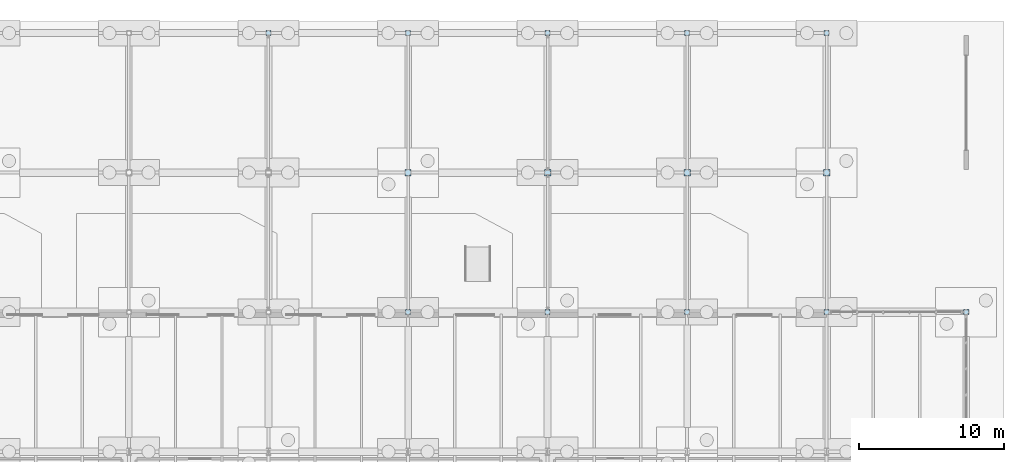
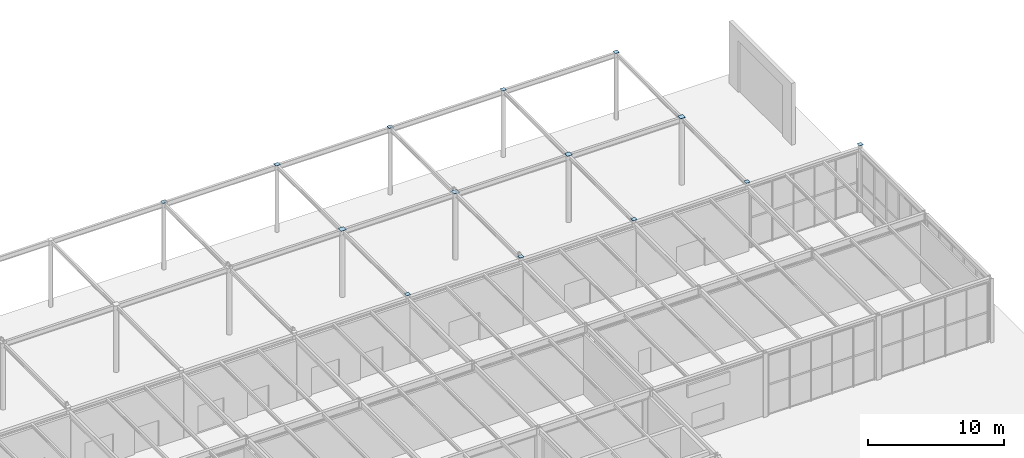
# One storey, part 115 of 142: 14 plates.
"""IFC4 building model written with IfcOpenShell, lengths in metres."""

import ifcopenshell
import ifcopenshell.guid

model = None  # the IFC model being written
_history = None  # IfcOwnerHistory: only IFC2X3 demands one
_inside = {}  # id of a spatial element -> (the spatial element, [elements in it])
_under = {}  # id of a project, library or spatial element -> (it, [spatial elements below it])
_declared = {}  # id of a project -> (the project, [libraries it declares])
_typed = {}  # id of a type object -> (the type object, [elements of that type])
_made_of = {}  # id of a material, layer set ... -> (it, [elements and type objects made of it])


def new_model(schema):
    """Start an empty IFC model of exactly this schema.

    Asked for "IFC4X3", IfcOpenShell would pick the latest addendum, in which some entities
    have other attributes; the version numbers below select the first issue.
    IFC2X3 requires an IfcOwnerHistory on every rooted entity: one is made here for all.
    """
    global model, _history
    if schema == "IFC4X3":
        model = ifcopenshell.file(schema_version=(4, 3, 0, 0))
    else:
        model = ifcopenshell.file(schema=schema)
    _inside.clear()
    _under.clear()
    _declared.clear()
    _typed.clear()
    _made_of.clear()
    _history = None
    if model.schema == "IFC2X3":
        org = make("IfcOrganization", Name="unknown")
        user = make(
            "IfcPersonAndOrganization",
            ThePerson=make("IfcPerson", FamilyName="unknown"),
            TheOrganization=org,
        )
        app = make(
            "IfcApplication",
            ApplicationDeveloper=org,
            Version="unknown",
            ApplicationFullName="unknown",
            ApplicationIdentifier="unknown",
        )
        _history = make(
            "IfcOwnerHistory",
            OwningUser=user,
            OwningApplication=app,
            ChangeAction="ADDED",
            CreationDate=0,
        )
    return model


def make(cls, **values):
    """One entity of the class cls with the attributes given. An attribute that is None is left unset."""
    return model.create_entity(
        cls, **{name: value for name, value in values.items() if value is not None}
    )


def rooted(cls, **values):
    """An entity with a GlobalId (a new one), such as an element, a storey or a relation."""
    return make(cls, GlobalId=ifcopenshell.guid.new(), OwnerHistory=_history, **values)


def si_unit(unit_type, name, prefix=None):
    """IfcSIUnit, for example si_unit("LENGTHUNIT", "METRE", prefix="MILLI")."""
    return make("IfcSIUnit", UnitType=unit_type, Prefix=prefix, Name=name)


def assignment(units):
    """IfcUnitAssignment: the units of a project."""
    return None if units is None else make("IfcUnitAssignment", Units=units)


def point(xyz):
    """IfcCartesianPoint."""
    return None if xyz is None else make("IfcCartesianPoint", Coordinates=xyz)


def direction(xyz):
    """IfcDirection."""
    return None if xyz is None else make("IfcDirection", DirectionRatios=xyz)


def frame(location, z_axis=None, x_axis=None):
    """IfcAxis2Placement3D, a coordinate frame: its origin and axes. An axis left out is left unset."""
    return make(
        "IfcAxis2Placement3D",
        Location=point(location),
        Axis=direction(z_axis),
        RefDirection=direction(x_axis),
    )


def frame_2d(location, x_axis=None):
    """IfcAxis2Placement2D, a coordinate frame in the plane: its origin and x axis."""
    return make(
        "IfcAxis2Placement2D", Location=point(location), RefDirection=direction(x_axis)
    )


def origin():
    """The frame at (0, 0, 0) with its axes left unset."""
    return frame((0.0, 0.0, 0.0))


def origin_2d():
    """The frame at (0, 0) in the plane with its x axis left unset."""
    return frame_2d((0.0, 0.0))


def place(relative_to, where):
    """IfcLocalPlacement: puts the frame where relative to a parent placement (None: the world)."""
    return make(
        "IfcLocalPlacement", PlacementRelTo=relative_to, RelativePlacement=where
    )


def context(
    kind, dimensions, precision=None, world=None, true_north=None, identifier=None
):
    """IfcGeometricRepresentationContext, for example the 3D "Model" context."""
    return make(
        "IfcGeometricRepresentationContext",
        ContextIdentifier=identifier,
        ContextType=kind,
        CoordinateSpaceDimension=dimensions,
        Precision=precision,
        WorldCoordinateSystem=world,
        TrueNorth=true_north,
    )


def subcontext(parent, identifier, kind, view, scale=None):
    """IfcGeometricRepresentationSubContext, for example "Body" below "Model"."""
    return make(
        "IfcGeometricRepresentationSubContext",
        ContextIdentifier=identifier,
        ContextType=kind,
        ParentContext=parent,
        TargetScale=scale,
        TargetView=view,
    )


def project(units=None, contexts=None):
    """IfcProject with its units and contexts."""
    return rooted(
        "IfcProject",
        Name="project",
        RepresentationContexts=contexts,
        UnitsInContext=assignment(units),
    )


def spatial(cls, under=None, at=None, **own):
    """A site, building, storey or space (cls), placed at a placement, below another one or the project."""
    s = rooted(cls, ObjectPlacement=at, **own)
    if under is not None:
        _under.setdefault(under.id(), (under, []))[1].append(s)
    return s


def profile(cls, at=None, kind="AREA", **sizes):
    """A parametric profile (cls). Its sizes go by their IFC names, for example OverallWidth=200.0."""
    return make(cls, ProfileType=kind, Position=at, **sizes)


def rectangle(**sizes):
    """IfcRectangleProfileDef."""
    return profile("IfcRectangleProfileDef", **sizes)


def extrude(swept, where, along, depth):
    """IfcExtrudedAreaSolid: the profile swept, set in the frame where, extruded along a direction by depth."""
    return make(
        "IfcExtrudedAreaSolid",
        SweptArea=swept,
        Position=where,
        ExtrudedDirection=direction(along),
        Depth=depth,
    )


def shape(context_of_items, identifier, shape_type, items):
    """IfcShapeRepresentation: the items that make up one representation, for example the "Body"."""
    return make(
        "IfcShapeRepresentation",
        ContextOfItems=context_of_items,
        RepresentationIdentifier=identifier,
        RepresentationType=shape_type,
        Items=items,
    )


def material(Name=None, Category=None):
    """IfcMaterial."""
    return make("IfcMaterial", Name=Name, Category=Category)


def layer(
    of_material, thickness, ventilated=None, Name=None, Category=None, Priority=None
):
    """IfcMaterialLayer: one layer of a wall or slab, of a material (None: an air gap)."""
    return make(
        "IfcMaterialLayer",
        Material=of_material,
        LayerThickness=thickness,
        IsVentilated=ventilated,
        Name=Name,
        Category=Category,
        Priority=Priority,
    )


def layer_set(layers, Name=None):
    """IfcMaterialLayerSet."""
    return make("IfcMaterialLayerSet", MaterialLayers=layers, LayerSetName=Name)


def made_of(thing, what):
    """Note that an element or type object is made of a material, layer set ...; save() writes the relation."""
    if what is not None:
        _made_of.setdefault(what.id(), (what, []))[1].append(thing)
    return thing


def type_object(cls, material=None, **own):
    """A type object (cls), such as IfcWallType, which elements share."""
    return made_of(rooted(cls, **own), material)


def element(
    cls,
    number,
    at=None,
    inside=None,
    cuts=None,
    type_object=None,
    material=None,
    context=None,
    identifier="Body",
    shape_type=None,
    held_by="IfcProductDefinitionShape",
    body=None,
    shapes=None,
    **own,
):
    """One element of the class cls, such as IfcWall. Its Tag is "e" and its number.

    at: its placement. inside: the storey or other place that contains it. cuts: it is an
    opening in that element (IfcRelVoidsElement). A single representation is given by context,
    identifier, shape_type and body (its items); several are given by shapes. held_by: the class
    of the entity that holds the representations. save() writes the other relations.
    """
    e = rooted(cls, Tag="e%d" % number, ObjectPlacement=at, **own)
    if body is not None:
        shapes = [shape(context, identifier, shape_type, body)]
    if shapes is not None:
        e.Representation = make(held_by, Representations=shapes)
    if inside is not None:
        _inside.setdefault(inside.id(), (inside, []))[1].append(e)
    if cuts is not None:
        rooted(
            "IfcRelVoidsElement", RelatingBuildingElement=cuts, RelatedOpeningElement=e
        )
    if type_object is not None:
        _typed.setdefault(type_object.id(), (type_object, []))[1].append(e)
    return made_of(e, material)


def aggregate(whole, parts):
    """IfcRelAggregates: a whole, such as a stair, and the parts it consists of."""
    return rooted("IfcRelAggregates", RelatingObject=whole, RelatedObjects=parts)


def save(model, path):
    """Write the relations noted so far, then the file.

    IfcRelAggregates (storeys below a building ...), IfcRelContainedInSpatialStructure (elements
    in a storey), IfcRelDefinesByType, IfcRelAssociatesMaterial and IfcRelDeclares: one each for
    every whole, place, type object, material and project.
    """
    for whole, parts in _under.values():
        aggregate(whole, parts)
    for where, things in _inside.values():
        rooted(
            "IfcRelContainedInSpatialStructure",
            RelatedElements=things,
            RelatingStructure=where,
        )
    for kind, things in _typed.values():
        rooted("IfcRelDefinesByType", RelatedObjects=things, RelatingType=kind)
    for what, things in _made_of.values():
        rooted("IfcRelAssociatesMaterial", RelatedObjects=things, RelatingMaterial=what)
    for by, libraries in _declared.values():
        rooted("IfcRelDeclares", RelatingContext=by, RelatedDefinitions=libraries)
    model.write(path)


model = new_model("IFC4")

# Units and contexts
model_context = context("Model", 3, precision=1e-05, world=origin(), true_north=direction((0.0, 1.0)))
body_context = subcontext(model_context, "Body", "Model", "MODEL_VIEW")
ifc_project = project(units=[si_unit("LENGTHUNIT", "METRE"), si_unit("AREAUNIT", "SQUARE_METRE"), si_unit("VOLUMEUNIT", "CUBIC_METRE"), si_unit("PLANEANGLEUNIT", "RADIAN"), si_unit("MASSUNIT", "GRAM", prefix="KILO")], contexts=[model_context])

# Site, building, storey
site_placement = place(None, origin())
site = spatial("IfcSite", under=ifc_project, at=site_placement, CompositionType="ELEMENT")
building_placement = place(site_placement, origin())
building = spatial("IfcBuilding", under=site, at=building_placement, Name="Coralgate Yard Interchange", CompositionType="ELEMENT")
storey_placement = place(building_placement, origin())
storey = spatial("IfcBuildingStorey", under=building, at=storey_placement, Name="L00", CompositionType="ELEMENT", Elevation=0.0)

# Plates
ifc_material = material(Name="Structural steel S355J2", Category="steel")
ifc_layer = layer(ifc_material, 0.01806640625)
ifc_layer_set = layer_set([ifc_layer], Name="Structural steel S355J2")
plate_type = type_object("IfcPlateType", Name="PLT-EP-18", PredefinedType="USERDEFINED", material=ifc_layer_set)
for number, where, z_axis, x_axis, name in (
    (1, (134.39990234375, 115.199951171875, 5.998046875), (0.0, 0.0, 1.0), (1.0, 0.0, 0.0), "Steel hollow section end cap plate CAP-WCOL-14-12"),
    (2, (144.0, 96.0, 5.998046875), (0.0, 0.0, 1.0), (1.0, 0.0, 0.0), "Steel hollow section end cap plate CAP-WCOL-15-10"),
):
    element("IfcPlate", number, at=place(storey_placement, frame(where, z_axis=z_axis, x_axis=x_axis)), inside=storey, type_object=plate_type, Name=name, ObjectType="CAP PLATE", PredefinedType="USERDEFINED", context=body_context, shape_type="SweptSolid", body=[
        extrude(rectangle(XDim=0.35400390625, YDim=0.35400390625, at=origin_2d()), origin(), (0.0, 0.0, 1.0), 0.01806640625),
    ])
plate_1_placement = place(storey_placement, frame((144.0, 105.60009765625, 5.998046875), z_axis=(0.0, 0.0, 1.0), x_axis=(1.0, 0.0, 0.0)))
element("IfcPlate", 3, at=plate_1_placement, inside=storey, type_object=plate_type, Name="Steel hollow section end cap plate CAP-WCOL-15-11", ObjectType="CAP PLATE", PredefinedType="USERDEFINED", context=body_context, shape_type="SweptSolid", body=[
    extrude(rectangle(XDim=0.43603515625, YDim=0.43603515625, at=origin_2d()), origin(), (0.0, 0.0, 1.0), 0.01806640625),
])
for number, where, z_axis, x_axis, name in (
    (4, (144.0, 115.199951171875, 5.998046875), (0.0, 0.0, 1.0), (1.0, 0.0, 0.0), "Steel hollow section end cap plate CAP-WCOL-15-12"),
    (5, (153.60009765625, 96.0, 5.998046875), (0.0, 0.0, 1.0), (1.0, 0.0, 0.0), "Steel hollow section end cap plate CAP-WCOL-16-10"),
):
    element("IfcPlate", number, at=place(storey_placement, frame(where, z_axis=z_axis, x_axis=x_axis)), inside=storey, type_object=plate_type, Name=name, ObjectType="CAP PLATE", PredefinedType="USERDEFINED", context=body_context, shape_type="SweptSolid", body=[
        extrude(rectangle(XDim=0.35400390625, YDim=0.35400390625, at=origin_2d()), origin(), (0.0, 0.0, 1.0), 0.01806640625),
    ])
plate_2_placement = place(storey_placement, frame((153.60009765625, 105.60009765625, 5.998046875), z_axis=(0.0, 0.0, 1.0), x_axis=(1.0, 0.0, 0.0)))
element("IfcPlate", 6, at=plate_2_placement, inside=storey, type_object=plate_type, Name="Steel hollow section end cap plate CAP-WCOL-16-11", ObjectType="CAP PLATE", PredefinedType="USERDEFINED", context=body_context, shape_type="SweptSolid", body=[
    extrude(rectangle(XDim=0.43603515625, YDim=0.43603515625, at=origin_2d()), origin(), (0.0, 0.0, 1.0), 0.01806640625),
])
for number, where, z_axis, x_axis, name in (
    (7, (153.60009765625, 115.199951171875, 5.998046875), (0.0, 0.0, 1.0), (1.0, 0.0, 0.0), "Steel hollow section end cap plate CAP-WCOL-16-12"),
    (8, (163.199951171875, 96.0, 5.998046875), (0.0, 0.0, 1.0), (1.0, 0.0, 0.0), "Steel hollow section end cap plate CAP-WCOL-17-10"),
):
    element("IfcPlate", number, at=place(storey_placement, frame(where, z_axis=z_axis, x_axis=x_axis)), inside=storey, type_object=plate_type, Name=name, ObjectType="CAP PLATE", PredefinedType="USERDEFINED", context=body_context, shape_type="SweptSolid", body=[
        extrude(rectangle(XDim=0.35400390625, YDim=0.35400390625, at=origin_2d()), origin(), (0.0, 0.0, 1.0), 0.01806640625),
    ])
plate_3_placement = place(storey_placement, frame((163.199951171875, 105.60009765625, 5.998046875), z_axis=(0.0, 0.0, 1.0), x_axis=(1.0, 0.0, 0.0)))
element("IfcPlate", 9, at=plate_3_placement, inside=storey, type_object=plate_type, Name="Steel hollow section end cap plate CAP-WCOL-17-11", ObjectType="CAP PLATE", PredefinedType="USERDEFINED", context=body_context, shape_type="SweptSolid", body=[
    extrude(rectangle(XDim=0.43603515625, YDim=0.43603515625, at=origin_2d()), origin(), (0.0, 0.0, 1.0), 0.01806640625),
])
for number, where, z_axis, x_axis, name in (
    (10, (163.199951171875, 115.199951171875, 5.998046875), (0.0, 0.0, 1.0), (1.0, 0.0, 0.0), "Steel hollow section end cap plate CAP-WCOL-17-12"),
    (11, (172.800048828125, 96.0, 5.998046875), (0.0, 0.0, 1.0), (1.0, 0.0, 0.0), "Steel hollow section end cap plate CAP-WCOL-18-10"),
):
    element("IfcPlate", number, at=place(storey_placement, frame(where, z_axis=z_axis, x_axis=x_axis)), inside=storey, type_object=plate_type, Name=name, ObjectType="CAP PLATE", PredefinedType="USERDEFINED", context=body_context, shape_type="SweptSolid", body=[
        extrude(rectangle(XDim=0.35400390625, YDim=0.35400390625, at=origin_2d()), origin(), (0.0, 0.0, 1.0), 0.01806640625),
    ])
plate_4_placement = place(storey_placement, frame((172.800048828125, 105.60009765625, 5.998046875), z_axis=(0.0, 0.0, 1.0), x_axis=(1.0, 0.0, 0.0)))
element("IfcPlate", 12, at=plate_4_placement, inside=storey, type_object=plate_type, Name="Steel hollow section end cap plate CAP-WCOL-18-11", ObjectType="CAP PLATE", PredefinedType="USERDEFINED", context=body_context, shape_type="SweptSolid", body=[
    extrude(rectangle(XDim=0.43603515625, YDim=0.43603515625, at=origin_2d()), origin(), (0.0, 0.0, 1.0), 0.01806640625),
])
for number, where, z_axis, x_axis, name in (
    (13, (172.800048828125, 115.199951171875, 5.998046875), (0.0, 0.0, 1.0), (1.0, 0.0, 0.0), "Steel hollow section end cap plate CAP-WCOL-18-12"),
    (14, (182.39990234375, 96.0, 5.998046875), (0.0, 0.0, 1.0), (1.0, 0.0, 0.0), "Steel hollow section end cap plate CAP-WCOL-19-10"),
):
    element("IfcPlate", number, at=place(storey_placement, frame(where, z_axis=z_axis, x_axis=x_axis)), inside=storey, type_object=plate_type, Name=name, ObjectType="CAP PLATE", PredefinedType="USERDEFINED", context=body_context, shape_type="SweptSolid", body=[
        extrude(rectangle(XDim=0.35400390625, YDim=0.35400390625, at=origin_2d()), origin(), (0.0, 0.0, 1.0), 0.01806640625),
    ])

save(model, "model.ifc")
